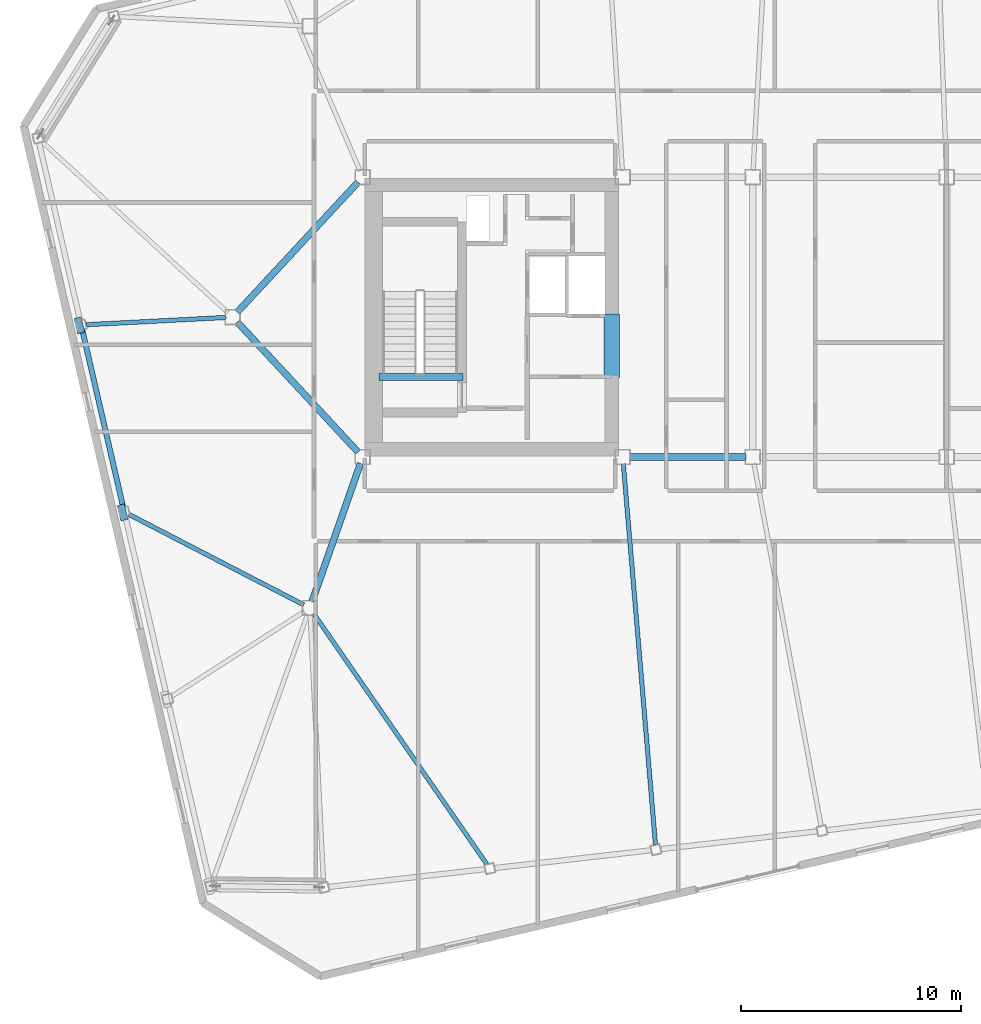
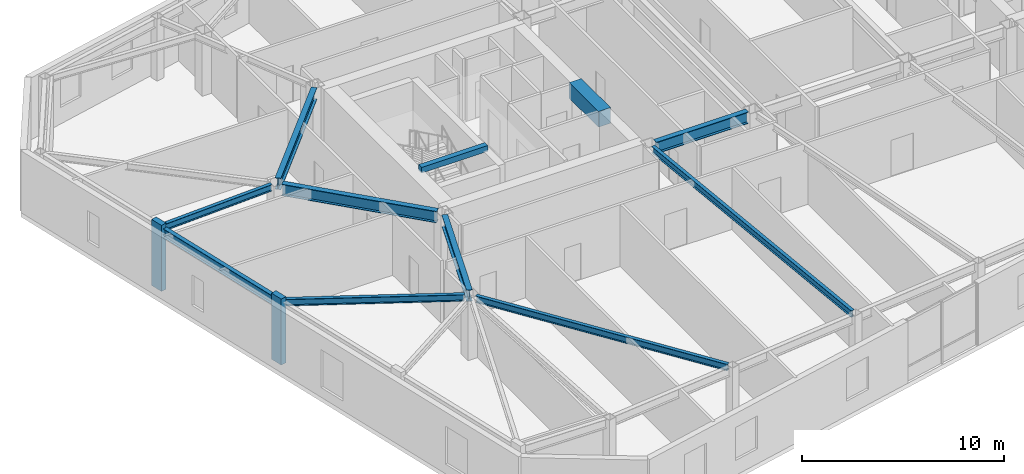
# One storey, part 6 of 23: 11 beams, 2 members.
"""IFC4 building model written with IfcOpenShell, lengths in metres."""

from ifc_helpers import new_model, si_unit, direction, frame, origin, origin_2d, place, context, subcontext, project, spatial, rectangle, i_section, extrude, material, material_profile, profile_set, type_object, element, save


model = new_model("IFC4")

# Units and contexts
model_context = context("Model", 3, precision=1e-05, world=origin(), true_north=direction((0.0, 1.0)))
body_context = subcontext(model_context, "Body", "Model", "MODEL_VIEW")
ifc_project = project(units=[si_unit("LENGTHUNIT", "METRE"), si_unit("AREAUNIT", "SQUARE_METRE"), si_unit("VOLUMEUNIT", "CUBIC_METRE"), si_unit("PLANEANGLEUNIT", "RADIAN"), si_unit("MASSUNIT", "GRAM", prefix="KILO")], contexts=[model_context])

# Site, building, storey
site_placement = place(None, origin())
site = spatial("IfcSite", under=ifc_project, at=site_placement, CompositionType="ELEMENT")
building_placement = place(site_placement, origin())
building = spatial("IfcBuilding", under=site, at=building_placement, Name="Tavrogorsk Clinical Tower", CompositionType="ELEMENT")
storey_placement = place(building_placement, frame((0.0, 0.0, 297.0)))
storey = spatial("IfcBuildingStorey", under=building, at=storey_placement, Name="L69", CompositionType="ELEMENT", Elevation=297.0)

# Beams
ifc_material_1 = material(Name="Concrete B80", Category="concrete")
ifc_material_profile_1 = material_profile(ifc_material_1, rectangle(XDim=0.699951171875, YDim=0.949951171875, at=origin_2d()), Name="RC-CB-700x950")
ifc_profile_set_1 = profile_set([ifc_material_profile_1], Name="Concrete B80")
beam_type_1 = type_object("IfcBeamType", Name="CouplingBeam_RC700x950", PredefinedType="LINTEL", material=ifc_profile_set_1)
beam_1_placement = place(storey_placement, frame((-10.800048828125, -2.75, 3.264892578125), z_axis=(0.0, 1.0, 0.0), x_axis=(-1.0, 0.0, 0.0)))
element("IfcBeam", 1, at=beam_1_placement, inside=storey, type_object=beam_type_1, Name="L69 Core West Coupling Beam", PredefinedType="LINTEL", context=body_context, shape_type="SweptSolid", body=[
    extrude(rectangle(XDim=0.699951171875, YDim=0.949951171875, at=origin_2d()), origin(), (0.0, 0.0, 1.0), 2.89990234375),
])
ifc_material_2 = material(Name="Structural steel S355", Category="steel")
ifc_material_profile_2 = material_profile(ifc_material_2, i_section(OverallWidth=0.199951171875, OverallDepth=0.39990234375, WebThickness=0.010498046875, FlangeThickness=0.01611328125, at=origin_2d()), Name="B-400x200x10.5x16")
ifc_profile_set_2 = profile_set([ifc_material_profile_2], Name="Structural steel S355")
beam_type_2 = type_object("IfcBeamType", Name="FloorBeam_B400", PredefinedType="BEAM", material=ifc_profile_set_2)
beam_2_placement = place(storey_placement, frame((-24.32373046875, -13.455078125, 3.5400390625), z_axis=(0.568335848504, -0.82279667191, 0.0), x_axis=(0.82279667191, 0.568335848504, 0.0)))
element("IfcBeam", 2, at=beam_2_placement, inside=storey, type_object=beam_type_2, Name="L69 Radial Floor Beam S2", PredefinedType="BEAM", context=body_context, shape_type="SweptSolid", body=[
    extrude(i_section(OverallWidth=0.199951171875, OverallDepth=0.39990234375, WebThickness=0.010498046875, FlangeThickness=0.01611328125, at=origin_2d()), origin(), (0.0, 0.0, 1.0), 13.831298828125),
])
beam_3_placement = place(storey_placement, frame((-10.27392578125, -6.658935546875, 3.5400390625), z_axis=(0.084215365049, -0.996447576288, 0.0), x_axis=(0.996447576288, 0.084215365049, 0.0)))
element("IfcBeam", 3, at=beam_3_placement, inside=storey, type_object=beam_type_2, Name="L69 Radial Floor Beam S3", PredefinedType="BEAM", context=body_context, shape_type="SweptSolid", body=[
    extrude(i_section(OverallWidth=0.199951171875, OverallDepth=0.39990234375, WebThickness=0.010498046875, FlangeThickness=0.01611328125, at=origin_2d()), origin(), (0.0, 0.0, 1.0), 17.3388671875),
])
beam_4_placement = place(storey_placement, frame((-28.3095703125, -0.01611328125, 3.5400390625), z_axis=(-0.99864101713, -0.052116397656, 0.0), x_axis=(0.052116397656, -0.99864101713, 0.0)))
element("IfcBeam", 4, at=beam_4_placement, inside=storey, type_object=beam_type_2, Name="L69 Radial Floor Beam W2", PredefinedType="BEAM", context=body_context, shape_type="SweptSolid", body=[
    extrude(i_section(OverallWidth=0.199951171875, OverallDepth=0.39990234375, WebThickness=0.010498046875, FlangeThickness=0.01611328125, at=origin_2d()), origin(), (0.0, 0.0, 1.0), 6.3427734375),
])
beam_5_placement = place(storey_placement, frame((-24.775390625, -13.0576171875, 3.5400390625), z_axis=(-0.888188417157, 0.459479418069, 0.0), x_axis=(-0.459479418069, -0.888188417157, 0.0)))
element("IfcBeam", 5, at=beam_5_placement, inside=storey, type_object=beam_type_2, Name="L69 Radial Floor Beam W3", PredefinedType="BEAM", context=body_context, shape_type="SweptSolid", body=[
    extrude(i_section(OverallWidth=0.199951171875, OverallDepth=0.39990234375, WebThickness=0.010498046875, FlangeThickness=0.01611328125, at=origin_2d()), origin(), (0.0, 0.0, 1.0), 8.93408203125),
])

# Members
ifc_material_3 = material(Name="Precast concrete B45 with limestone cladding", Category="masonry")
ifc_material_profile_3 = material_profile(ifc_material_3, rectangle(XDim=0.320068359375, YDim=0.719970703125, at=origin_2d()), Name="LIMESTONE-FIN-320x720")
ifc_profile_set_3 = profile_set([ifc_material_profile_3], Name="Precast concrete B45 with limestone cladding")
member_type = type_object("IfcMemberType", Name="LimestonePleatFin_320x720", PredefinedType="USERDEFINED", material=ifc_profile_set_3)
for number, where, z_axis, x_axis, name in (
    (6, (-34.95458984375, -0.376708984375, 0.0), (0.0, 0.0, 1.0), (0.974370064785, 0.224951054344, 0.0), "L69 W Pleated Stone Fin 1"),
    (7, (-32.995361328125, -8.863525390625, 0.0), (0.0, 0.0, 1.0), (0.974370064785, 0.224951054344, 0.0), "L69 W Pleated Stone Fin 2"),
):
    element("IfcMember", number, at=place(storey_placement, frame(where, z_axis=z_axis, x_axis=x_axis)), inside=storey, type_object=member_type, Name=name, ObjectType="FIN", PredefinedType="USERDEFINED", context=body_context, shape_type="SweptSolid", body=[
        extrude(rectangle(XDim=0.320068359375, YDim=0.719970703125, at=origin_2d()), origin(), (0.0, 0.0, 1.0), 4.0),
    ])

# Beams
ifc_material_4 = material(Name="Structural steel S390", Category="steel")
ifc_material_profile_4 = material_profile(ifc_material_4, i_section(OverallWidth=0.300048828125, OverallDepth=0.699951171875, WebThickness=0.01708984375, FlangeThickness=0.028076171875, at=origin_2d()), Name="B-700x300x17x28")
ifc_profile_set_4 = profile_set([ifc_material_profile_4], Name="Structural steel S390")
beam_type_3 = type_object("IfcBeamType", Name="PrimaryGirder_B700", PredefinedType="USERDEFINED", material=ifc_profile_set_4)
beam_6_placement = place(storey_placement, frame((-9.989990234375, -6.35009765625, 3.389892578125), z_axis=(1.0, 0.0, 0.0), x_axis=(0.0, 1.0, 0.0)))
element("IfcBeam", 8, at=beam_6_placement, inside=storey, type_object=beam_type_3, Name="L69 Primary Spine Girder MG-01", ObjectType="GIRDER", PredefinedType="USERDEFINED", context=body_context, shape_type="SweptSolid", body=[
    extrude(i_section(OverallWidth=0.300048828125, OverallDepth=0.699951171875, WebThickness=0.01708984375, FlangeThickness=0.028076171875, at=origin_2d()), origin(), (0.0, 0.0, 1.0), 5.280029296875),
])
beam_7_placement = place(storey_placement, frame((-24.3974609375, -12.907470703125, 3.389892578125), z_axis=(0.330666578092, 0.943747643246, 0.0), x_axis=(-0.943747643246, 0.330666578092, 0.0)))
element("IfcBeam", 9, at=beam_7_placement, inside=storey, type_object=beam_type_3, Name="L69 Spine Link Girder OPG-1", ObjectType="GIRDER", PredefinedType="USERDEFINED", context=body_context, shape_type="SweptSolid", body=[
    extrude(i_section(OverallWidth=0.300048828125, OverallDepth=0.699951171875, WebThickness=0.01708984375, FlangeThickness=0.028076171875, at=origin_2d()), origin(), (0.0, 0.0, 1.0), 6.638427734375),
])
for number, where, z_axis, x_axis, name in (
    (10, (-27.7890625, -0.22705078125, 3.389892578125), (0.680677963005, -0.732582767119, 0.0), (0.732582767119, 0.680677963005, 0.0), "L69 Spine Link Girder OPG-5"),
    (11, (-27.7890625, 0.22705078125, 3.389892578125), (0.680677963005, 0.732582767119, 0.0), (-0.732582767119, 0.680677963005, 0.0), "L69 Spine Link Girder OPG-6"),
):
    element("IfcBeam", number, at=place(storey_placement, frame(where, z_axis=z_axis, x_axis=x_axis)), inside=storey, type_object=beam_type_3, Name=name, ObjectType="GIRDER", PredefinedType="USERDEFINED", context=body_context, shape_type="SweptSolid", body=[
        extrude(i_section(OverallWidth=0.300048828125, OverallDepth=0.699951171875, WebThickness=0.01708984375, FlangeThickness=0.028076171875, at=origin_2d()), origin(), (0.0, 0.0, 1.0), 8.0478515625),
    ])
ifc_material_5 = material(Name="Structural steel S390", Category="steel")
ifc_material_profile_5 = material_profile(ifc_material_5, i_section(OverallWidth=0.239990234375, OverallDepth=0.550048828125, WebThickness=0.013916015625, FlangeThickness=0.02197265625, at=origin_2d()), Name="B-550x240x14x22")
ifc_profile_set_5 = profile_set([ifc_material_profile_5], Name="Structural steel S390")
beam_type_4 = type_object("IfcBeamType", Name="SpandrelBeam_B550", PredefinedType="SPANDREL", material=ifc_profile_set_5)
beam_8_placement = place(storey_placement, frame((-34.82421875, -0.585693359375, 3.465087890625), z_axis=(0.224950345141, -0.974370228517, 0.0), x_axis=(0.974370228517, 0.224950345141, 0.0)))
element("IfcBeam", 12, at=beam_8_placement, inside=storey, type_object=beam_type_4, Name="L69 Perimeter Spandrel W2-W3", PredefinedType="SPANDREL", context=body_context, shape_type="SweptSolid", body=[
    extrude(i_section(OverallWidth=0.239990234375, OverallDepth=0.550048828125, WebThickness=0.013916015625, FlangeThickness=0.02197265625, at=origin_2d()), origin(), (0.0, 0.0, 1.0), 8.243896484375),
])
ifc_material_6 = material(Name="Concrete B60", Category="concrete")
ifc_material_profile_6 = material_profile(ifc_material_6, rectangle(XDim=0.300048828125, YDim=0.35009765625, at=origin_2d()), Name="RC-SHB-300x350")
ifc_profile_set_6 = profile_set([ifc_material_profile_6], Name="Concrete B60")
beam_type_5 = type_object("IfcBeamType", Name="StairHeaderBeam_RC300x350", PredefinedType="BEAM", material=ifc_profile_set_6)
beam_9_placement = place(storey_placement, frame((-21.35009765625, -2.719970703125, 3.824951171875), z_axis=(1.0, 0.0, 0.0), x_axis=(0.0, 1.0, 0.0)))
element("IfcBeam", 13, at=beam_9_placement, inside=storey, type_object=beam_type_5, Name="L70 ST-W Landing Header Beam", PredefinedType="BEAM", context=body_context, shape_type="SweptSolid", body=[
    extrude(rectangle(XDim=0.300048828125, YDim=0.35009765625, at=origin_2d()), origin(), (0.0, 0.0, 1.0), 3.800048828125),
])

save(model, "model.ifc")
